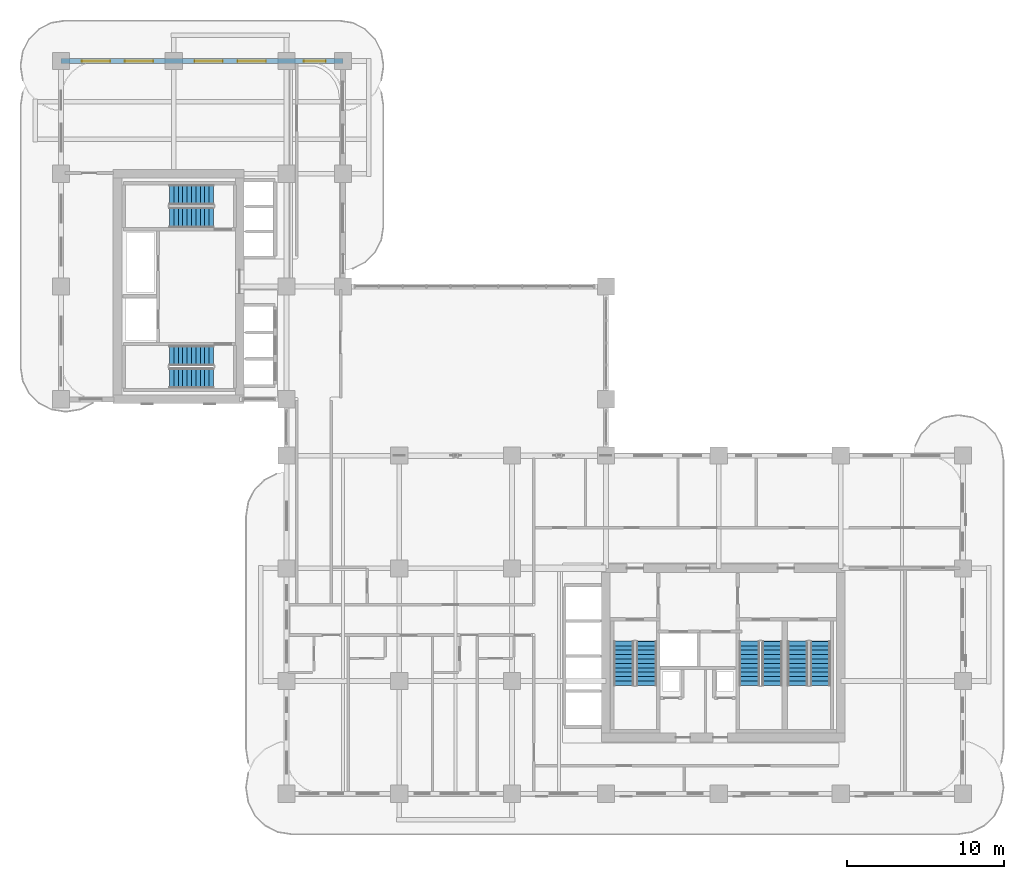
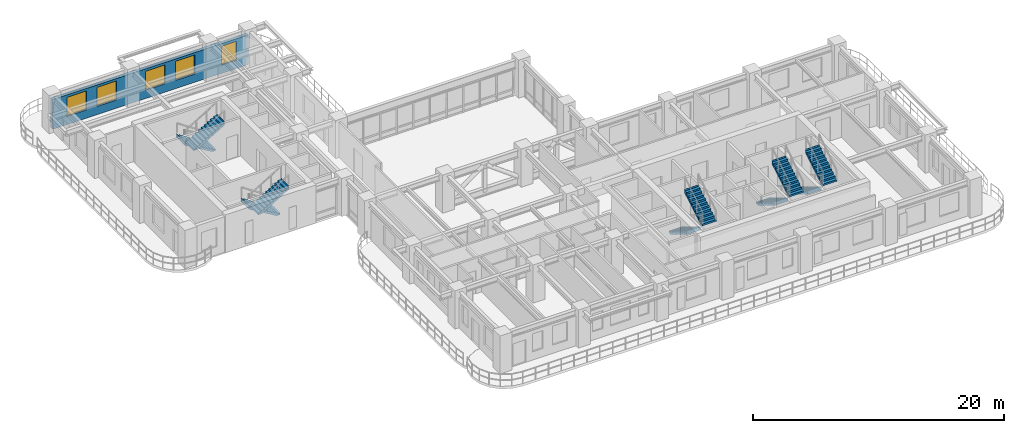
# One storey, part 16 of 21: 10 stair flights, 5 windows, 1 wall, 5 openings, 5 elements without a shape of their own.
"""IFC4 building model written with IfcOpenShell, lengths in metres."""

from ifc_helpers import new_model, si_unit, derived_unit, direction, frame, frame_2d, origin, place, context, subcontext, project, spatial, polyline, rectangle, outline, extrude, source, transform, mapped, material, layer, layer_set, type_object, type_shapes, element, fill, aggregate, save


model = new_model("IFC4")

# Units and contexts
model_context = context("Model", 3, precision=1e-05, world=origin(), true_north=direction((0.0, 1.0)))
body_context = subcontext(model_context, "Body", "Model", "MODEL_VIEW")
ifc_project = project(units=[si_unit("LENGTHUNIT", "METRE"), si_unit("AREAUNIT", "SQUARE_METRE"), si_unit("VOLUMEUNIT", "CUBIC_METRE"), si_unit("PLANEANGLEUNIT", "RADIAN"), si_unit("MASSUNIT", "GRAM", prefix="KILO"), si_unit("THERMODYNAMICTEMPERATUREUNIT", "KELVIN"), si_unit("POWERUNIT", "WATT"), derived_unit("THERMALTRANSMITTANCEUNIT", [(si_unit("POWERUNIT", "WATT"), 1), (si_unit("AREAUNIT", "SQUARE_METRE"), -1), (si_unit("THERMODYNAMICTEMPERATUREUNIT", "KELVIN"), -1)])], contexts=[model_context])

# Site, building, storey
site_placement = place(None, origin())
site = spatial("IfcSite", under=ifc_project, at=site_placement, CompositionType="ELEMENT")
building_placement = place(site_placement, origin())
building = spatial("IfcBuilding", under=site, at=building_placement, Name="Zahravan Archway Hotel and Residences", CompositionType="ELEMENT")
storey_placement = place(building_placement, frame((0.0, 0.0, 69.39990234375)))
storey = spatial("IfcBuildingStorey", under=building, at=storey_placement, Name="L16", CompositionType="ELEMENT", Elevation=69.39990234375)

# Wall, openings, windows
ifc_material_1 = material(Name="Agra Buff Sandstone & Insulated Backup", Category="masonry")
ifc_layer_1 = layer(ifc_material_1, 0.320068359375, Name="Agra Buff Sandstone & Insulated Backup", Category="masonry")
ifc_layer_set_1 = layer_set([ifc_layer_1], Name="Agra Buff Sandstone & Insulated Backup")
wall_type = type_object("IfcWallType", Name="EW-SAND-320", PredefinedType="SOLIDWALL", material=ifc_layer_set_1)
wall_placement = place(storey_placement, frame((0.0, 46.800048828125, 0.0), z_axis=(0.0, 0.0, 1.0), x_axis=(1.0, 0.0, 0.0)))
wall = element("IfcWall", 1, at=wall_placement, inside=storey, type_object=wall_type, Name="L16 Exterior Sandstone Wall WB-N", PredefinedType="SOLIDWALL", context=body_context, shape_type="SweptSolid", body=[
    extrude(rectangle(XDim=18.0, YDim=0.320068359375, at=frame_2d((9.0, 0.0))), origin(), (0.0, 0.0, 1.0), 2.885009765625),
])
opening_1_placement = place(wall_placement, frame((1.324951171875, 0.0, 0.800048828125)))
opening_1 = element("IfcOpeningElement", 2, at=opening_1_placement, cuts=wall, Name="Opening W-02", PredefinedType="OPENING", context=body_context, shape_type="SweptSolid", body=[
    extrude(rectangle(XDim=1.800048828125, YDim=1.85009765625, at=frame_2d((0.89990234375, 0.925048828125))), frame((0.0, 0.169921875, 0.0), z_axis=(0.0, -1.0, 0.0), x_axis=(1.0, 0.0, 0.0)), (0.0, 0.0, 1.0), 0.340087890625),
])
opening_2_placement = place(wall_placement, frame((4.074951171875, 0.0, 0.800048828125)))
opening_2 = element("IfcOpeningElement", 3, at=opening_2_placement, cuts=wall, Name="Opening W-02", PredefinedType="OPENING", context=body_context, shape_type="SweptSolid", body=[
    extrude(rectangle(XDim=1.800048828125, YDim=1.85009765625, at=frame_2d((0.89990234375, 0.925048828125))), frame((0.0, 0.169921875, 0.0), z_axis=(0.0, -1.0, 0.0), x_axis=(1.0, 0.0, 0.0)), (0.0, 0.0, 1.0), 0.340087890625),
])
opening_3_placement = place(wall_placement, frame((8.52490234375, 0.0, 0.800048828125)))
opening_3 = element("IfcOpeningElement", 4, at=opening_3_placement, cuts=wall, Name="Opening W-02", PredefinedType="OPENING", context=body_context, shape_type="SweptSolid", body=[
    extrude(rectangle(XDim=1.800048828125, YDim=1.85009765625, at=frame_2d((0.89990234375, 0.925048828125))), frame((0.0, 0.169921875, 0.0), z_axis=(0.0, -1.0, 0.0), x_axis=(1.0, 0.0, 0.0)), (0.0, 0.0, 1.0), 0.340087890625),
])
opening_4_placement = place(wall_placement, frame((11.27490234375, 0.0, 0.800048828125)))
opening_4 = element("IfcOpeningElement", 5, at=opening_4_placement, cuts=wall, Name="Opening W-02", PredefinedType="OPENING", context=body_context, shape_type="SweptSolid", body=[
    extrude(rectangle(XDim=1.800048828125, YDim=1.85009765625, at=frame_2d((0.89990234375, 0.925048828125))), frame((0.0, 0.169921875, 0.0), z_axis=(0.0, -1.0, 0.0), x_axis=(1.0, 0.0, 0.0)), (0.0, 0.0, 1.0), 0.340087890625),
])
opening_5_placement = place(wall_placement, frame((15.5, 0.0, 0.800048828125)))
opening_5 = element("IfcOpeningElement", 6, at=opening_5_placement, cuts=wall, Name="Opening W-03", PredefinedType="OPENING", context=body_context, shape_type="SweptSolid", body=[
    extrude(rectangle(XDim=1.39990234375, YDim=1.85009765625, at=frame_2d((0.699951171875, 0.925048828125))), frame((0.0, 0.169921875, 0.0), z_axis=(0.0, -1.0, 0.0), x_axis=(1.0, 0.0, 0.0)), (0.0, 0.0, 1.0), 0.340087890625),
])
ifc_material_2 = material(Name="Bronze-Anodized Thermal-Break Aluminium & Low-E Glass", Category="aluminium")
window_type_1 = type_object("IfcWindowType", Name="WIN-TWR-1400", PartitioningType="SINGLE_PANEL", PredefinedType="WINDOW", material=ifc_material_2)
shared_shape_1 = source(origin(), body_context, "Body", "SweptSolid", [
    extrude(rectangle(XDim=1.39990234375, YDim=1.85009765625, at=frame_2d((0.699951171875, 0.925048828125))), frame((0.0, 0.030029296875, 0.0), z_axis=(0.0, -1.0, 0.0), x_axis=(1.0, 0.0, 0.0)), (0.0, 0.0, 1.0), 0.06005859375),
])
type_shapes(window_type_1, [shared_shape_1])
window_1_placement = place(opening_5_placement, origin())
window_1 = element("IfcWindow", 7, at=window_1_placement, inside=storey, type_object=window_type_1, Name="L16 Loggia Window 40", OverallHeight=1.85009765625, OverallWidth=1.39990234375, PartitioningType="SINGLE_PANEL", PredefinedType="WINDOW", context=body_context, shape_type="MappedRepresentation", body=[
    mapped(shared_shape_1, transform((0.0, 0.0, 0.0), scale=1.0)),
])
fill(opening_5, window_1)
window_type_2 = type_object("IfcWindowType", Name="WIN-TWR-1800", PartitioningType="DOUBLE_PANEL_VERTICAL", PredefinedType="WINDOW", material=ifc_material_2)
shared_shape_2 = source(origin(), body_context, "Body", "SweptSolid", [
    extrude(rectangle(XDim=1.800048828125, YDim=1.85009765625, at=frame_2d((0.89990234375, 0.925048828125))), frame((0.0, 0.030029296875, 0.0), z_axis=(0.0, -1.0, 0.0), x_axis=(1.0, 0.0, 0.0)), (0.0, 0.0, 1.0), 0.06005859375),
])
type_shapes(window_type_2, [shared_shape_2])
window_2_placement = place(opening_1_placement, origin())
window_2 = element("IfcWindow", 8, at=window_2_placement, inside=storey, type_object=window_type_2, Name="L16 Loggia Window 36", OverallHeight=1.85009765625, OverallWidth=1.800048828125, PartitioningType="DOUBLE_PANEL_VERTICAL", PredefinedType="WINDOW", context=body_context, shape_type="MappedRepresentation", body=[
    mapped(shared_shape_2, transform((0.0, 0.0, 0.0), scale=1.0)),
])
fill(opening_1, window_2)
window_3_placement = place(opening_2_placement, origin())
window_3 = element("IfcWindow", 9, at=window_3_placement, inside=storey, type_object=window_type_2, Name="L16 Loggia Window 37", OverallHeight=1.85009765625, OverallWidth=1.800048828125, PartitioningType="DOUBLE_PANEL_VERTICAL", PredefinedType="WINDOW", context=body_context, shape_type="MappedRepresentation", body=[
    mapped(shared_shape_2, transform((0.0, 0.0, 0.0), scale=1.0)),
])
fill(opening_2, window_3)
window_4_placement = place(opening_3_placement, origin())
window_4 = element("IfcWindow", 10, at=window_4_placement, inside=storey, type_object=window_type_2, Name="L16 Loggia Window 38", OverallHeight=1.85009765625, OverallWidth=1.800048828125, PartitioningType="DOUBLE_PANEL_VERTICAL", PredefinedType="WINDOW", context=body_context, shape_type="MappedRepresentation", body=[
    mapped(shared_shape_2, transform((0.0, 0.0, 0.0), scale=1.0)),
])
fill(opening_3, window_4)
window_5_placement = place(opening_4_placement, origin())
window_5 = element("IfcWindow", 11, at=window_5_placement, inside=storey, type_object=window_type_2, Name="L16 Loggia Window 39", OverallHeight=1.85009765625, OverallWidth=1.800048828125, PartitioningType="DOUBLE_PANEL_VERTICAL", PredefinedType="WINDOW", context=body_context, shape_type="MappedRepresentation", body=[
    mapped(shared_shape_2, transform((0.0, 0.0, 0.0), scale=1.0)),
])
fill(opening_4, window_5)

# Stair, stair flights
ifc_material_3 = material(Name="Concrete C50/60", Category="concrete")
stair_type = type_object("IfcStairType", Name="STR-CORE-1300", PredefinedType="HALF_TURN_STAIR", material=ifc_material_3)
stair_1_placement = place(storey_placement, origin())
stair_1 = element("IfcStair", 12, at=stair_1_placement, inside=storey, type_object=stair_type, Name="L16 Core A Exit Stair 1", PredefinedType="HALF_TURN_STAIR")
ifc_layer_2 = layer(ifc_material_3, 0.199951171875, Name="Concrete C50/60", Category="concrete")
ifc_layer_set_2 = layer_set([ifc_layer_2], Name="Concrete C50/60")
stair_flight_type = type_object("IfcStairFlightType", Name="SFL-CORE-1300", PredefinedType="STRAIGHT", material=ifc_layer_set_2)
shared_shape_3 = source(origin(), body_context, "Body", "SweptSolid", [
    extrude(outline(polyline([(-0.01611328125, 0.0), (-0.01611328125, 0.168212890625), (0.280029296875, 0.168212890625), (0.280029296875, 0.33642578125), (0.56005859375, 0.33642578125), (0.56005859375, 0.504638671875), (0.840087890625, 0.504638671875), (0.840087890625, 0.672607421875), (1.1201171875, 0.672607421875), (1.1201171875, 0.8408203125), (1.39990234375, 0.8408203125), (1.39990234375, 1.009033203125), (1.679931640625, 1.009033203125), (1.679931640625, 1.17724609375), (1.9599609375, 1.17724609375), (1.9599609375, 1.345458984375), (2.239990234375, 1.345458984375), (2.239990234375, 1.513671875), (2.52001953125, 1.513671875), (2.52001953125, 1.681884765625), (2.800048828125, 1.681884765625), (2.800048828125, 1.85009765625), (2.816162109375, 1.85009765625), (2.816162109375, 1.5068359375), (0.291015625, 0.0), (-0.01611328125, 0.0)])), frame((0.0, 0.64990234375, 0.0), z_axis=(0.0, -1.0, 0.0), x_axis=(1.0, 0.0, 0.0)), (0.0, 0.0, 1.0), 1.300048828125),
])
stair_flight_1_placement = place(storey_placement, frame((35.949951171875, 9.72998046875, 0.0), z_axis=(0.0, 0.0, 1.0), x_axis=(0.0, -1.0, 0.0)))
stair_flight_1 = element("IfcStairFlight", 13, at=stair_flight_1_placement, type_object=stair_flight_type, Name="ST-A1 flight 1", NumberOfRisers=11, NumberOfTreads=10, PredefinedType="STRAIGHT", RiserHeight=0.168181818, TreadLength=0.28, context=body_context, shape_type="MappedRepresentation", body=[
    mapped(shared_shape_3, transform((0.0, 0.0, 0.0), scale=1.0)),
])
stair_flight_2_placement = place(storey_placement, frame((37.389892578125, 6.929931640625, 1.85009765625), z_axis=(0.0, 0.0, 1.0), x_axis=(0.0, 1.0, 0.0)))
stair_flight_2 = element("IfcStairFlight", 14, at=stair_flight_2_placement, type_object=stair_flight_type, Name="ST-A1 flight 2", NumberOfRisers=11, NumberOfTreads=10, PredefinedType="STRAIGHT", RiserHeight=0.168181818, TreadLength=0.28, context=body_context, shape_type="MappedRepresentation", body=[
    mapped(shared_shape_3, transform((0.0, 0.0, 0.0), scale=1.0)),
])
aggregate(stair_1, [stair_flight_1, stair_flight_2])

stair_2_placement = place(storey_placement, origin())
stair_2 = element("IfcStair", 15, at=stair_2_placement, inside=storey, type_object=stair_type, Name="L16 Core A Exit Stair 2", PredefinedType="HALF_TURN_STAIR")
stair_flight_3_placement = place(storey_placement, frame((43.969970703125, 9.72998046875, 0.0), z_axis=(0.0, 0.0, 1.0), x_axis=(0.0, -1.0, 0.0)))
stair_flight_3 = element("IfcStairFlight", 16, at=stair_flight_3_placement, type_object=stair_flight_type, Name="ST-A2 flight 1", NumberOfRisers=11, NumberOfTreads=10, PredefinedType="STRAIGHT", RiserHeight=0.168181818, TreadLength=0.28, context=body_context, shape_type="MappedRepresentation", body=[
    mapped(shared_shape_3, transform((0.0, 0.0, 0.0), scale=1.0)),
])
stair_flight_4_placement = place(storey_placement, frame((45.409912109375, 6.929931640625, 1.85009765625), z_axis=(0.0, 0.0, 1.0), x_axis=(0.0, 1.0, 0.0)))
stair_flight_4 = element("IfcStairFlight", 17, at=stair_flight_4_placement, type_object=stair_flight_type, Name="ST-A2 flight 2", NumberOfRisers=11, NumberOfTreads=10, PredefinedType="STRAIGHT", RiserHeight=0.168181818, TreadLength=0.28, context=body_context, shape_type="MappedRepresentation", body=[
    mapped(shared_shape_3, transform((0.0, 0.0, 0.0), scale=1.0)),
])
aggregate(stair_2, [stair_flight_3, stair_flight_4])

stair_3_placement = place(storey_placement, origin())
stair_3 = element("IfcStair", 18, at=stair_3_placement, inside=storey, type_object=stair_type, Name="L16 Core A Exit Stair 3", PredefinedType="HALF_TURN_STAIR")
stair_flight_5_placement = place(storey_placement, frame((47.050048828125, 9.72998046875, 0.0), z_axis=(0.0, 0.0, 1.0), x_axis=(0.0, -1.0, 0.0)))
stair_flight_5 = element("IfcStairFlight", 19, at=stair_flight_5_placement, type_object=stair_flight_type, Name="ST-A3 flight 1", NumberOfRisers=11, NumberOfTreads=10, PredefinedType="STRAIGHT", RiserHeight=0.168181818, TreadLength=0.28, context=body_context, shape_type="MappedRepresentation", body=[
    mapped(shared_shape_3, transform((0.0, 0.0, 0.0), scale=1.0)),
])
stair_flight_6_placement = place(storey_placement, frame((48.489990234375, 6.929931640625, 1.85009765625), z_axis=(0.0, 0.0, 1.0), x_axis=(0.0, 1.0, 0.0)))
stair_flight_6 = element("IfcStairFlight", 20, at=stair_flight_6_placement, type_object=stair_flight_type, Name="ST-A3 flight 2", NumberOfRisers=11, NumberOfTreads=10, PredefinedType="STRAIGHT", RiserHeight=0.168181818, TreadLength=0.28, context=body_context, shape_type="MappedRepresentation", body=[
    mapped(shared_shape_3, transform((0.0, 0.0, 0.0), scale=1.0)),
])
aggregate(stair_3, [stair_flight_5, stair_flight_6])

stair_4_placement = place(storey_placement, origin())
stair_4 = element("IfcStair", 21, at=stair_4_placement, inside=storey, type_object=stair_type, Name="L16 Core B Exit Stair 1", PredefinedType="HALF_TURN_STAIR")
stair_flight_7_placement = place(storey_placement, frame((9.72998046875, 27.989990234375, 0.0), z_axis=(0.0, 0.0, 1.0), x_axis=(-1.0, 0.0, 0.0)))
stair_flight_7 = element("IfcStairFlight", 22, at=stair_flight_7_placement, type_object=stair_flight_type, Name="ST-B1 flight 1", NumberOfRisers=11, NumberOfTreads=10, PredefinedType="STRAIGHT", RiserHeight=0.168181818, TreadLength=0.28, context=body_context, shape_type="MappedRepresentation", body=[
    mapped(shared_shape_3, transform((0.0, 0.0, 0.0), scale=1.0)),
])
stair_flight_8_placement = place(storey_placement, frame((6.929931640625, 26.550048828125, 1.85009765625), z_axis=(0.0, 0.0, 1.0), x_axis=(1.0, 0.0, 0.0)))
stair_flight_8 = element("IfcStairFlight", 23, at=stair_flight_8_placement, type_object=stair_flight_type, Name="ST-B1 flight 2", NumberOfRisers=11, NumberOfTreads=10, PredefinedType="STRAIGHT", RiserHeight=0.168181818, TreadLength=0.28, context=body_context, shape_type="MappedRepresentation", body=[
    mapped(shared_shape_3, transform((0.0, 0.0, 0.0), scale=1.0)),
])
aggregate(stair_4, [stair_flight_7, stair_flight_8])

stair_5_placement = place(storey_placement, origin())
stair_5 = element("IfcStair", 24, at=stair_5_placement, inside=storey, type_object=stair_type, Name="L16 Core B Exit Stair 2", PredefinedType="HALF_TURN_STAIR")
stair_flight_9_placement = place(storey_placement, frame((9.72998046875, 38.25, 0.0), z_axis=(0.0, 0.0, 1.0), x_axis=(-1.0, 0.0, 0.0)))
stair_flight_9 = element("IfcStairFlight", 25, at=stair_flight_9_placement, type_object=stair_flight_type, Name="ST-B2 flight 1", NumberOfRisers=11, NumberOfTreads=10, PredefinedType="STRAIGHT", RiserHeight=0.168181818, TreadLength=0.28, context=body_context, shape_type="MappedRepresentation", body=[
    mapped(shared_shape_3, transform((0.0, 0.0, 0.0), scale=1.0)),
])
stair_flight_10_placement = place(storey_placement, frame((6.929931640625, 36.81005859375, 1.85009765625), z_axis=(0.0, 0.0, 1.0), x_axis=(1.0, 0.0, 0.0)))
stair_flight_10 = element("IfcStairFlight", 26, at=stair_flight_10_placement, type_object=stair_flight_type, Name="ST-B2 flight 2", NumberOfRisers=11, NumberOfTreads=10, PredefinedType="STRAIGHT", RiserHeight=0.168181818, TreadLength=0.28, context=body_context, shape_type="MappedRepresentation", body=[
    mapped(shared_shape_3, transform((0.0, 0.0, 0.0), scale=1.0)),
])
aggregate(stair_5, [stair_flight_9, stair_flight_10])

save(model, "model.ifc")
